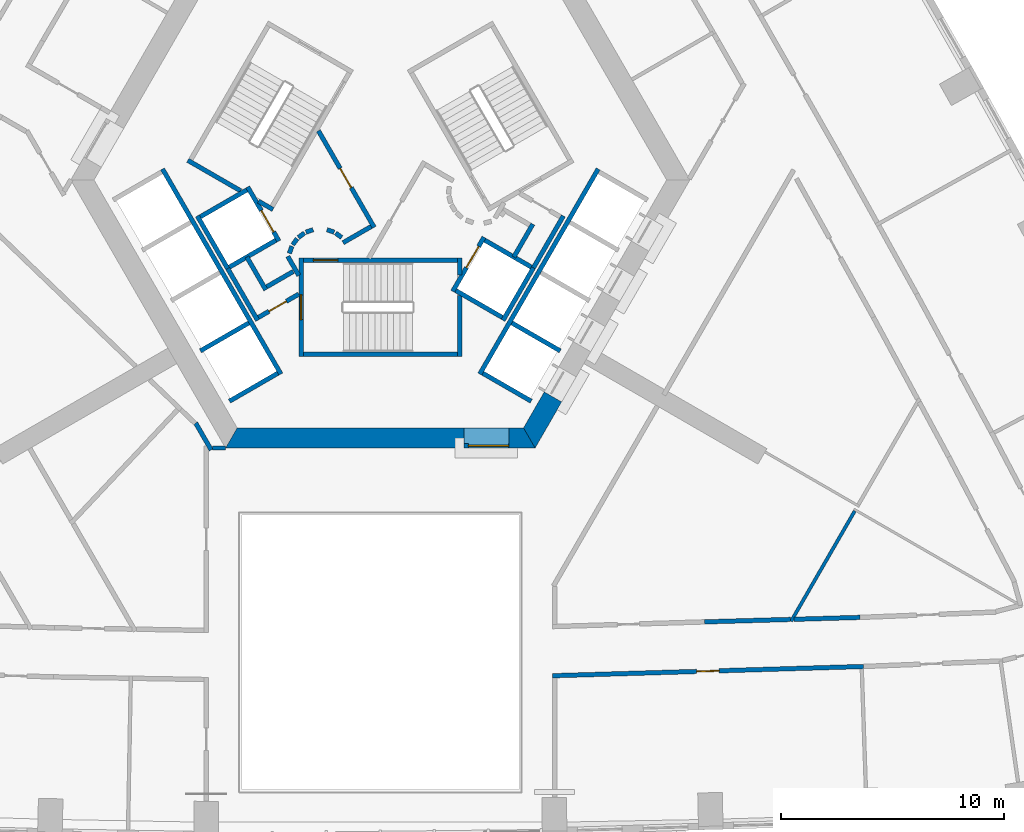
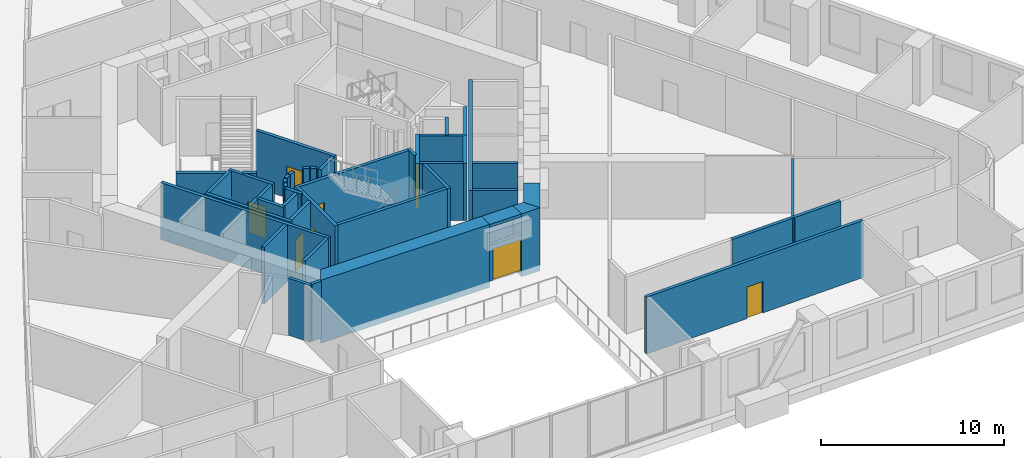
# One storey, part 6 of 15: 47 walls, 8 doors, 8 openings.
"""IFC4 building model written with IfcOpenShell, lengths in metres."""

from ifc_helpers import new_model, si_unit, direction, frame, frame_2d, origin, place, context, subcontext, project, spatial, polyline, rectangle, outline, extrude, material, layer, layer_set, type_object, element, fill, save


model = new_model("IFC4")

# Units and contexts
model_context = context("Model", 3, precision=1e-05, world=origin(), true_north=direction((0.0, 1.0)))
body_context = subcontext(model_context, "Body", "Model", "MODEL_VIEW")
ifc_project = project(units=[si_unit("LENGTHUNIT", "METRE"), si_unit("AREAUNIT", "SQUARE_METRE"), si_unit("VOLUMEUNIT", "CUBIC_METRE"), si_unit("PLANEANGLEUNIT", "RADIAN"), si_unit("MASSUNIT", "GRAM", prefix="KILO")], contexts=[model_context])

# Site, building, storey
site_placement = place(None, origin())
site = spatial("IfcSite", under=ifc_project, at=site_placement, CompositionType="ELEMENT")
building_placement = place(site_placement, origin())
building = spatial("IfcBuilding", under=site, at=building_placement, Name="Entoto Arch Interchange Tower", CompositionType="ELEMENT")
storey_placement = place(building_placement, frame((0.0, 0.0, 99.199951171875)))
storey = spatial("IfcBuildingStorey", under=building, at=storey_placement, Name="L21", CompositionType="ELEMENT", Elevation=99.199951171875)

# Wall, opening, door
ifc_material_1 = material(Name="Reinforced concrete C40/50", Category="concrete")
ifc_layer_1 = layer(ifc_material_1, 0.199951171875)
ifc_layer_set_1 = layer_set([ifc_layer_1], Name="Reinforced concrete C40/50")
wall_type_1 = type_object("IfcWallType", Name="CORE GAP INFILL WALL", PredefinedType="PARTITIONING", material=ifc_layer_set_1)
wall_1_placement = place(storey_placement, frame((3.75, -9.39990234375, 0.0), z_axis=(0.0, 0.0, 1.0), x_axis=(1.0, 0.0, 0.0)))
wall_1 = element("IfcWall", 1, at=wall_1_placement, inside=storey, type_object=wall_type_1, Name="wall:L21:gap1", PredefinedType="PARTITIONING", context=body_context, shape_type="SweptSolid", body=[
    extrude(rectangle(XDim=2.0, YDim=0.199951171875, at=frame_2d((1.0, 0.0))), origin(), (0.0, 0.0, 1.0), 2.400146484375),
])
opening_1_placement = place(wall_1_placement, frame((0.18994140625, 0.0, 0.0)))
opening_1 = element("IfcOpeningElement", 2, at=opening_1_placement, cuts=wall_1, Name="Opening L21-D91", PredefinedType="OPENING", context=body_context, shape_type="SweptSolid", body=[
    extrude(rectangle(XDim=1.800048828125, YDim=2.10009765625, at=frame_2d((0.89990234375, 1.050048828125))), frame((0.0, 0.10986328125, 0.0), z_axis=(0.0, -1.0, 0.0), x_axis=(1.0, 0.0, 0.0)), (0.0, 0.0, 1.0), 0.219970703125),
])
ifc_material_2 = material(Name="Fire-rated Steel S235 door and frame", Category="steel")
door_type_1 = type_object("IfcDoorType", Name="DOOR FD-18 1800x2100", OperationType="DOUBLE_DOOR_SINGLE_SWING", PredefinedType="DOOR", material=ifc_material_2)
door_1_placement = place(opening_1_placement, origin())
door_1 = element("IfcDoor", 3, at=door_1_placement, inside=storey, type_object=door_type_1, Name="door:L21:gap1", OperationType="DOUBLE_DOOR_SINGLE_SWING", OverallHeight=2.10009765625, OverallWidth=1.800048828125, PredefinedType="DOOR", context=body_context, shape_type="SweptSolid", body=[
    extrude(rectangle(XDim=1.800048828125, YDim=2.10009765625, at=frame_2d((0.89990234375, 1.050048828125))), frame((0.0, 0.02490234375, 0.0), z_axis=(0.0, -1.0, 0.0), x_axis=(1.0, 0.0, 0.0)), (0.0, 0.0, 1.0), 0.050048828125),
])
fill(opening_1, door_1)

# Walls
ifc_material_3 = material(Name="Concrete C60/75", Category="concrete")
ifc_layer_2 = layer(ifc_material_3, 0.89990234375)
ifc_layer_set_2 = layer_set([ifc_layer_2], Name="Concrete C60/75")
wall_type_2 = type_object("IfcWallType", Name="Core wall 900 C60/75", PredefinedType="SHEAR", material=ifc_layer_set_2)
wall_2_placement = place(storey_placement, frame((0.0, 0.0, -0.39990234375)))
element("IfcWall", 4, at=wall_2_placement, inside=storey, type_object=wall_type_2, Name="Core wall S L21", PredefinedType="SHEAR", context=body_context, shape_type="SweptSolid", body=[
    extrude(outline(polyline([(3.75, -9.5), (3.75, -8.60009765625), (-6.408935546875, -8.60009765625), (-6.927978515625, -9.5), (3.75, -9.5)])), origin(), (0.0, 0.0, 1.0), 4.199951171875),
])
wall_3_placement = place(storey_placement, frame((0.0, 0.0, -0.39990234375)))
element("IfcWall", 5, at=wall_3_placement, inside=storey, type_object=wall_type_2, Name="Core wall S L21", PredefinedType="SHEAR", context=body_context, shape_type="SweptSolid", body=[
    extrude(outline(polyline([(5.75, -8.60009765625), (5.75, -9.5), (6.927978515625, -9.5), (6.408935546875, -8.60009765625), (5.75, -8.60009765625)])), origin(), (0.0, 0.0, 1.0), 4.199951171875),
])
wall_4_placement = place(storey_placement, frame((0.0, 0.0, 3.60009765625)))
element("IfcWall", 6, at=wall_4_placement, inside=storey, type_object=wall_type_2, Name="Core wall lintel S L21", PredefinedType="SHEAR", context=body_context, shape_type="SweptSolid", body=[
    extrude(outline(polyline([(5.75, -9.5), (5.75, -8.60009765625), (3.75, -8.60009765625), (3.75, -9.5), (5.75, -9.5)])), origin(), (0.0, 0.0, 1.0), 0.199951171875),
])
wall_5_placement = place(storey_placement, frame((0.0, 0.0, -0.39990234375)))
element("IfcWall", 7, at=wall_5_placement, inside=storey, type_object=wall_type_2, Name="Core wall SE L21", PredefinedType="SHEAR", context=body_context, shape_type="SweptSolid", body=[
    extrude(outline(polyline([(8.116943359375, -7.43994140625), (7.337890625, -6.989990234375), (6.408935546875, -8.60009765625), (6.927978515625, -9.5), (8.116943359375, -7.43994140625)])), origin(), (0.0, 0.0, 1.0), 4.199951171875),
])

# Wall, opening, door
ifc_material_4 = material(Name="Concrete C40/50", Category="concrete")
ifc_layer_3 = layer(ifc_material_4, 0.199951171875)
ifc_layer_set_3 = layer_set([ifc_layer_3], Name="Concrete C40/50")
wall_type_3 = type_object("IfcWallType", Name="LIFT SHAFT WALL 200", PredefinedType="STANDARD", material=ifc_layer_set_3)
wall_6_placement = place(storey_placement, frame((-5.93994140625, 2.18798828125, 0.0), z_axis=(0.0, 0.0, 1.0), x_axis=(0.49994636267, -0.866056369097, 0.0)))
wall_6 = element("IfcWall", 8, at=wall_6_placement, inside=storey, type_object=wall_type_3, Name="Shaft wall SW1 front", PredefinedType="STANDARD", context=body_context, shape_type="SweptSolid", body=[
    extrude(rectangle(XDim=2.800048828125, YDim=0.199951171875, at=frame_2d((1.39990234375, 0.0))), origin(), (0.0, 0.0, 1.0), 3.800048828125),
])
opening_2_placement = place(wall_6_placement, frame((1.22509765625, 0.0, 0.0)))
opening_2 = element("IfcOpeningElement", 9, at=opening_2_placement, cuts=wall_6, Name="Opening LD-FF2-L21", PredefinedType="OPENING", context=body_context, shape_type="SweptSolid", body=[
    extrude(rectangle(XDim=1.10009765625, YDim=2.10009765625, at=frame_2d((0.550048828125, 1.050048828125))), frame((0.0, 0.10986328125, 0.0), z_axis=(0.0, -1.0, 0.0), x_axis=(1.0, 0.0, 0.0)), (0.0, 0.0, 1.0), 0.219970703125),
])
ifc_material_5 = material(Name="Stainless steel 1.4301 panels", Category="steel")
door_type_2 = type_object("IfcDoorType", Name="LIFT LANDING DOOR LD1 1100x2100", OperationType="SLIDING_TO_LEFT", PredefinedType="DOOR", material=ifc_material_5)
door_2_placement = place(opening_2_placement, origin())
door_2 = element("IfcDoor", 10, at=door_2_placement, inside=storey, type_object=door_type_2, Name="Lift landing door FF2 L21", OperationType="SLIDING_TO_LEFT", OverallHeight=2.10009765625, OverallWidth=1.10009765625, PredefinedType="DOOR", context=body_context, shape_type="SweptSolid", body=[
    extrude(rectangle(XDim=1.10009765625, YDim=2.10009765625, at=frame_2d((0.550048828125, 1.050048828125))), frame((0.0, 0.02490234375, 0.0), z_axis=(0.0, -1.0, 0.0), x_axis=(1.0, 0.0, 0.0)), (0.0, 0.0, 1.0), 0.050048828125),
])
fill(opening_2, door_2)

# Walls
wall_7_placement = place(storey_placement, frame((-8.19189453125, 0.887939453125, 0.0), z_axis=(0.0, 0.0, 1.0), x_axis=(0.49994636267, -0.866056369097, 0.0)))
element("IfcWall", 11, at=wall_7_placement, inside=storey, type_object=wall_type_3, Name="Shaft wall SW1 back", PredefinedType="STANDARD", context=body_context, shape_type="SweptSolid", body=[
    extrude(rectangle(XDim=2.800048828125, YDim=0.199951171875, at=frame_2d((1.39990234375, 0.0))), origin(), (0.0, 0.0, 1.0), 3.800048828125),
])
for number, where, z_axis, x_axis, name in (
    (12, (-5.97705078125, 2.052001953125, 0.0), (0.0, 0.0, 1.0), (-0.865973769406, -0.500089422704, 0.0), "Shaft wall SW1 cross 1"),
    (13, (-4.677001953125, -0.199951171875, 0.0), (0.0, 0.0, 1.0), (-0.865973769406, -0.500089422704, 0.0), "Shaft wall SW1 cross 2"),
):
    element("IfcWall", number, at=place(storey_placement, frame(where, z_axis=z_axis, x_axis=x_axis)), inside=storey, type_object=wall_type_3, Name=name, PredefinedType="STANDARD", context=body_context, shape_type="SweptSolid", body=[
        extrude(rectangle(XDim=2.3994140625, YDim=0.199951171875, at=frame_2d((1.19970703125, 0.0))), origin(), (0.0, 0.0, 1.0), 3.800048828125),
    ])
wall_8_placement = place(storey_placement, frame((-9.7509765625, 2.989990234375, 0.0), z_axis=(0.0, 0.0, 1.0), x_axis=(0.50000090737, -0.866024879913, 0.0)))
element("IfcWall", 14, at=wall_8_placement, inside=storey, type_object=wall_type_3, Name="Shaft wall SW3 front", PredefinedType="STANDARD", context=body_context, shape_type="SweptSolid", body=[
    extrude(rectangle(XDim=10.60009765625, YDim=0.199951171875, at=frame_2d((5.300048828125, 0.0))), origin(), (0.0, 0.0, 1.0), 3.800048828125),
])
for number, where, z_axis, x_axis, name in (
    (15, (-5.887939453125, -3.902099609375, 0.0), (0.0, 0.0, 1.0), (-0.866022959057, -0.500004234368, 0.0), "Shaft wall SW3 cross 4"),
    (16, (-4.587890625, -6.153076171875, 0.0), (0.0, 0.0, 1.0), (-0.866022959057, -0.500004234368, 0.0), "Shaft wall SW3 cross 5"),
):
    element("IfcWall", number, at=place(storey_placement, frame(where, z_axis=z_axis, x_axis=x_axis)), inside=storey, type_object=wall_type_3, Name=name, PredefinedType="STANDARD", context=body_context, shape_type="SweptSolid", body=[
        extrude(rectangle(XDim=2.5, YDim=0.199951171875, at=frame_2d((1.25, 0.0))), origin(), (0.0, 0.0, 1.0), 3.800048828125),
    ])

# Wall, opening, door
wall_9_placement = place(storey_placement, frame((3.239990234375, -2.488037109375, 0.0), z_axis=(0.0, 0.0, 1.0), x_axis=(0.49994636267, 0.866056369097, 0.0)))
wall_9 = element("IfcWall", 17, at=wall_9_placement, inside=storey, type_object=wall_type_3, Name="Shaft wall SE1 front", PredefinedType="STANDARD", context=body_context, shape_type="SweptSolid", body=[
    extrude(rectangle(XDim=2.800048828125, YDim=0.199951171875, at=frame_2d((1.39990234375, 0.0))), origin(), (0.0, 0.0, 1.0), 3.800048828125),
])
opening_3_placement = place(wall_9_placement, frame((1.22509765625, 0.0, 0.0)))
opening_3 = element("IfcOpeningElement", 18, at=opening_3_placement, cuts=wall_9, Name="Opening LD-FF1-L21", PredefinedType="OPENING", context=body_context, shape_type="SweptSolid", body=[
    extrude(rectangle(XDim=1.10009765625, YDim=2.10009765625, at=frame_2d((0.550048828125, 1.050048828125))), frame((0.0, 0.10986328125, 0.0), z_axis=(0.0, -1.0, 0.0), x_axis=(1.0, 0.0, 0.0)), (0.0, 0.0, 1.0), 0.219970703125),
])
door_3_placement = place(opening_3_placement, origin())
door_3 = element("IfcDoor", 19, at=door_3_placement, inside=storey, type_object=door_type_2, Name="Lift landing door FF1 L21", OperationType="SLIDING_TO_LEFT", OverallHeight=2.10009765625, OverallWidth=1.10009765625, PredefinedType="DOOR", context=body_context, shape_type="SweptSolid", body=[
    extrude(rectangle(XDim=1.10009765625, YDim=2.10009765625, at=frame_2d((0.550048828125, 1.050048828125))), frame((0.0, 0.02490234375, 0.0), z_axis=(0.0, -1.0, 0.0), x_axis=(1.0, 0.0, 0.0)), (0.0, 0.0, 1.0), 0.050048828125),
])
fill(opening_3, door_3)

# Walls
wall_10_placement = place(storey_placement, frame((5.491943359375, -3.7880859375, 0.0), z_axis=(0.0, 0.0, 1.0), x_axis=(0.500011755427, 0.866018616679, 0.0)))
element("IfcWall", 20, at=wall_10_placement, inside=storey, type_object=wall_type_3, Name="Shaft wall SE1 back", PredefinedType="STANDARD", context=body_context, shape_type="SweptSolid", body=[
    extrude(rectangle(XDim=2.80029296875, YDim=0.199951171875, at=frame_2d((1.400146484375, 0.0))), origin(), (0.0, 0.0, 1.0), 3.800048828125),
])
wall_11_placement = place(storey_placement, frame((3.376953125, -2.451904296875, 0.0), z_axis=(0.0, 0.0, 1.0), x_axis=(0.865955154139, -0.50012165622, 0.0)))
element("IfcWall", 21, at=wall_11_placement, inside=storey, type_object=wall_type_3, Name="Shaft wall SE1 cross 1", PredefinedType="STANDARD", context=body_context, shape_type="SweptSolid", body=[
    extrude(rectangle(XDim=2.39990234375, YDim=0.199951171875, at=frame_2d((1.199951171875, 0.0))), origin(), (0.0, 0.0, 1.0), 3.800048828125),
])
wall_12_placement = place(storey_placement, frame((4.677001953125, -0.199951171875, 0.0), z_axis=(0.0, 0.0, 1.0), x_axis=(0.865973769406, -0.500089422704, 0.0)))
element("IfcWall", 22, at=wall_12_placement, inside=storey, type_object=wall_type_3, Name="Shaft wall SE1 cross 2", PredefinedType="STANDARD", context=body_context, shape_type="SweptSolid", body=[
    extrude(rectangle(XDim=2.3994140625, YDim=0.199951171875, at=frame_2d((1.19970703125, 0.0))), origin(), (0.0, 0.0, 1.0), 3.800048828125),
])
wall_13_placement = place(storey_placement, frame((4.450927734375, -6.18994140625, 0.0), z_axis=(0.0, 0.0, 1.0), x_axis=(0.50000090737, 0.866024879913, 0.0)))
element("IfcWall", 23, at=wall_13_placement, inside=storey, type_object=wall_type_3, Name="Shaft wall SE3 front", PredefinedType="STANDARD", context=body_context, shape_type="SweptSolid", body=[
    extrude(rectangle(XDim=10.60009765625, YDim=0.199951171875, at=frame_2d((5.300048828125, 0.0))), origin(), (0.0, 0.0, 1.0), 3.800048828125),
])
for number, where, z_axis, x_axis, name in (
    (24, (4.587890625, -6.153076171875, 0.0), (0.0, 0.0, 1.0), (0.866022959057, -0.500004234368, 0.0), "Shaft wall SE3 cross 1"),
    (25, (5.887939453125, -3.902099609375, 0.0), (0.0, 0.0, 1.0), (0.866022959057, -0.500004234368, 0.0), "Shaft wall SE3 cross 2"),
):
    element("IfcWall", number, at=place(storey_placement, frame(where, z_axis=z_axis, x_axis=x_axis)), inside=storey, type_object=wall_type_3, Name=name, PredefinedType="STANDARD", context=body_context, shape_type="SweptSolid", body=[
        extrude(rectangle(XDim=2.5, YDim=0.199951171875, at=frame_2d((1.25, 0.0))), origin(), (0.0, 0.0, 1.0), 3.800048828125),
    ])
ifc_material_6 = material(Name="Gypsum board partition on steel studs", Category="steel")
ifc_layer_4 = layer(ifc_material_6, 0.14990234375)
ifc_layer_set_4 = layer_set([ifc_layer_4], Name="Gypsum board partition on steel studs")
wall_type_4 = type_object("IfcWallType", Name="PARTITION 150", PredefinedType="PARTITIONING", material=ifc_layer_set_4)
wall_14_placement = place(storey_placement, frame((21.236083984375, -12.319091796875, 0.0), z_axis=(0.0, 0.0, 1.0), x_axis=(-0.500016488359, -0.866015884017, 0.0)))
element("IfcWall", 26, at=wall_14_placement, inside=storey, type_object=wall_type_4, Name="wall:L21:p124", PredefinedType="PARTITIONING", context=body_context, shape_type="SweptSolid", body=[
    extrude(rectangle(XDim=5.701904296875, YDim=0.14990234375, at=frame_2d((2.85107421875, 0.0))), origin(), (0.0, 0.0, 1.0), 3.800048828125),
])
ifc_layer_5 = layer(ifc_material_6, 0.199951171875)
ifc_layer_set_5 = layer_set([ifc_layer_5], Name="Gypsum board partition on steel studs")
wall_type_5 = type_object("IfcWallType", Name="PARTITION 200", PredefinedType="PARTITIONING", material=ifc_layer_set_5)
wall_15_placement = place(storey_placement, frame((14.51904296875, -17.282958984375, 0.0), z_axis=(0.0, 0.0, 1.0), x_axis=(0.999591204998, 0.028590608419, 0.0)))
element("IfcWall", 27, at=wall_15_placement, inside=storey, type_object=wall_type_5, Name="wall:L21:p018", PredefinedType="PARTITIONING", context=body_context, shape_type="SweptSolid", body=[
    extrude(rectangle(XDim=3.842529296875, YDim=0.199951171875, at=frame_2d((1.92138671875, 0.0))), origin(), (0.0, 0.0, 1.0), 3.800048828125),
])
wall_16_placement = place(storey_placement, frame((18.509033203125, -17.16796875, 0.0), z_axis=(0.0, 0.0, 1.0), x_axis=(0.999588854267, 0.028672677323, 0.0)))
element("IfcWall", 28, at=wall_16_placement, inside=storey, type_object=wall_type_5, Name="wall:L21:p021", PredefinedType="PARTITIONING", context=body_context, shape_type="SweptSolid", body=[
    extrude(rectangle(XDim=2.963134765625, YDim=0.199951171875, at=frame_2d((1.4814453125, 0.0))), origin(), (0.0, 0.0, 1.0), 3.800048828125),
])

# Wall, opening, door
wall_17_placement = place(storey_placement, frame((21.62109375, -19.280029296875, 0.0), z_axis=(0.0, 0.0, 1.0), x_axis=(-0.999557957525, -0.029730280001, 0.0)))
wall_17 = element("IfcWall", 29, at=wall_17_placement, inside=storey, type_object=wall_type_5, Name="wall:L21:p043", PredefinedType="PARTITIONING", context=body_context, shape_type="SweptSolid", body=[
    extrude(rectangle(XDim=13.92724609375, YDim=0.199951171875, at=frame_2d((6.963623046875, 0.0))), origin(), (0.0, 0.0, 1.0), 3.800048828125),
])
opening_4_placement = place(wall_17_placement, frame((6.464111328125, 0.0, 0.0)))
opening_4 = element("IfcOpeningElement", 30, at=opening_4_placement, cuts=wall_17, Name="Opening L21-D01", PredefinedType="OPENING", context=body_context, shape_type="SweptSolid", body=[
    extrude(rectangle(XDim=1.0, YDim=2.10009765625, at=frame_2d((0.5, 1.050048828125))), frame((0.0, 0.10986328125, 0.0), z_axis=(0.0, -1.0, 0.0), x_axis=(1.0, 0.0, 0.0)), (0.0, 0.0, 1.0), 0.219970703125),
])
ifc_material_7 = material(Name="Timber door leaf in Steel S235 frame", Category="steel")
door_type_3 = type_object("IfcDoorType", Name="DOOR DS-10 1000x2100", OperationType="SINGLE_SWING_LEFT", PredefinedType="DOOR", material=ifc_material_7)
door_4_placement = place(opening_4_placement, origin())
door_4 = element("IfcDoor", 31, at=door_4_placement, inside=storey, type_object=door_type_3, Name="door:L21:01", OperationType="SINGLE_SWING_LEFT", OverallHeight=2.10009765625, OverallWidth=1.0, PredefinedType="DOOR", context=body_context, shape_type="SweptSolid", body=[
    extrude(rectangle(XDim=1.0, YDim=2.10009765625, at=frame_2d((0.5, 1.050048828125))), frame((0.0, 0.02490234375, 0.0), z_axis=(0.0, -1.0, 0.0), x_axis=(1.0, 0.0, 0.0)), (0.0, 0.0, 1.0), 0.050048828125),
])
fill(opening_4, door_4)

# Walls
wall_18_placement = place(storey_placement, frame((6.825927734375, 0.52197265625, 0.0), z_axis=(0.0, 0.0, 1.0), x_axis=(-0.500016722714, -0.866015748706, 0.0)))
element("IfcWall", 32, at=wall_18_placement, inside=storey, type_object=wall_type_5, Name="wall:L21:p086", PredefinedType="PARTITIONING", context=body_context, shape_type="SweptSolid", body=[
    extrude(rectangle(XDim=1.69970703125, YDim=0.199951171875, at=frame_2d((0.849853515625, 0.0))), origin(), (0.0, 0.0, 1.0), 3.800048828125),
])
wall_19_placement = place(storey_placement, frame((8.19189453125, 0.887939453125, 0.0), z_axis=(0.0, 0.0, 1.0), x_axis=(-0.499940625693, -0.866059680843, 0.0)))
element("IfcWall", 33, at=wall_19_placement, inside=storey, type_object=wall_type_5, Name="wall:L21:p088", PredefinedType="PARTITIONING", context=body_context, shape_type="SweptSolid", body=[
    extrude(rectangle(XDim=2.679931640625, YDim=0.199951171875, at=frame_2d((1.33984375, 0.0))), origin(), (0.0, 0.0, 1.0), 3.800048828125),
])
wall_20_placement = place(storey_placement, frame((-3.89990234375, -1.59912109375, 0.0), z_axis=(0.0, 0.0, 1.0), x_axis=(-0.865969445389, -0.500096910261, 0.0)))
element("IfcWall", 34, at=wall_20_placement, inside=storey, type_object=wall_type_5, Name="wall:L21:p090", PredefinedType="PARTITIONING", context=body_context, shape_type="SweptSolid", body=[
    extrude(rectangle(XDim=1.373291015625, YDim=0.199951171875, at=frame_2d((0.6865234375, 0.0))), origin(), (0.0, 0.0, 1.0), 3.800048828125),
])
wall_21_placement = place(storey_placement, frame((-5.1259765625, -2.422119140625, 0.0), z_axis=(0.0, 0.0, 1.0), x_axis=(-0.500062241894, 0.865989465428, 0.0)))
element("IfcWall", 35, at=wall_21_placement, inside=storey, type_object=wall_type_5, Name="wall:L21:p091", PredefinedType="PARTITIONING", context=body_context, shape_type="SweptSolid", body=[
    extrude(rectangle(XDim=1.699951171875, YDim=0.199951171875, at=frame_2d((0.85009765625, 0.0))), origin(), (0.0, 0.0, 1.0), 3.800048828125),
])

# Wall, opening, door
wall_22_placement = place(storey_placement, frame((-3.64990234375, -2.610107421875, 0.0), z_axis=(0.0, 0.0, 1.0), x_axis=(-0.866072462134, -0.499918483688, 0.0)))
wall_22 = element("IfcWall", 36, at=wall_22_placement, inside=storey, type_object=wall_type_5, Name="wall:L21:p092", PredefinedType="PARTITIONING", context=body_context, shape_type="SweptSolid", body=[
    extrude(rectangle(XDim=2.084228515625, YDim=0.199951171875, at=frame_2d((1.0419921875, 0.0))), origin(), (0.0, 0.0, 1.0), 3.800048828125),
])
opening_5_placement = place(wall_22_placement, frame((0.64208984375, 0.0, 0.0)))
opening_5 = element("IfcOpeningElement", 37, at=opening_5_placement, cuts=wall_22, Name="Opening L21-D39", PredefinedType="OPENING", context=body_context, shape_type="SweptSolid", body=[
    extrude(rectangle(XDim=0.89990234375, YDim=2.10009765625, at=frame_2d((0.449951171875, 1.050048828125))), frame((0.0, 0.10986328125, 0.0), z_axis=(0.0, -1.0, 0.0), x_axis=(1.0, 0.0, 0.0)), (0.0, 0.0, 1.0), 0.219970703125),
])
door_type_4 = type_object("IfcDoorType", Name="DOOR DS-09 900x2100", OperationType="SINGLE_SWING_LEFT", PredefinedType="DOOR", material=ifc_material_7)
door_5_placement = place(opening_5_placement, origin())
door_5 = element("IfcDoor", 38, at=door_5_placement, inside=storey, type_object=door_type_4, Name="door:L21:39", OperationType="SINGLE_SWING_LEFT", OverallHeight=2.10009765625, OverallWidth=0.89990234375, PredefinedType="DOOR", context=body_context, shape_type="SweptSolid", body=[
    extrude(rectangle(XDim=0.89990234375, YDim=2.10009765625, at=frame_2d((0.449951171875, 1.050048828125))), frame((0.0, 0.02490234375, 0.0), z_axis=(0.0, -1.0, 0.0), x_axis=(1.0, 0.0, 0.0)), (0.0, 0.0, 1.0), 0.050048828125),
])
fill(opening_5, door_5)

# Walls
wall_23_placement = place(storey_placement, frame((-5.491943359375, -3.7880859375, 0.0), z_axis=(0.0, 0.0, 1.0), x_axis=(-0.500008949224, 0.866020236886, 0.0)))
element("IfcWall", 39, at=wall_23_placement, inside=storey, type_object=wall_type_5, Name="wall:L21:p093", PredefinedType="PARTITIONING", context=body_context, shape_type="SweptSolid", body=[
    extrude(rectangle(XDim=2.68017578125, YDim=0.199951171875, at=frame_2d((1.340087890625, 0.0))), origin(), (0.0, 0.0, 1.0), 3.800048828125),
])
wall_24_placement = place(storey_placement, frame((-4.14501953125, -0.919921875, 0.0), z_axis=(0.0, 0.0, 1.0), x_axis=(0.499743786207, -0.866173278362, 0.0)))
element("IfcWall", 40, at=wall_24_placement, inside=storey, type_object=wall_type_5, Name="wall:L21:p094", PredefinedType="PARTITIONING", context=body_context, shape_type="SweptSolid", body=[
    extrude(rectangle(XDim=0.99072265625, YDim=0.199951171875, at=frame_2d((0.495361328125, 0.0))), origin(), (0.0, 0.0, 1.0), 3.800048828125),
])

# Wall, opening, door
wall_25_placement = place(storey_placement, frame((-2.77099609375, 4.699951171875, 0.0), z_axis=(0.0, 0.0, 1.0), x_axis=(0.499969479948, -0.866043023828, 0.0)))
wall_25 = element("IfcWall", 41, at=wall_25_placement, inside=storey, type_object=wall_type_5, Name="wall:L21:p107", PredefinedType="PARTITIONING", context=body_context, shape_type="SweptSolid", body=[
    extrude(rectangle(XDim=4.990478515625, YDim=0.199951171875, at=frame_2d((2.4951171875, 0.0))), origin(), (0.0, 0.0, 1.0), 3.800048828125),
])
opening_6_placement = place(wall_25_placement, frame((1.945068359375, 0.0, 0.0)))
opening_6 = element("IfcOpeningElement", 42, at=opening_6_placement, cuts=wall_25, Name="Opening L21-D37", PredefinedType="OPENING", context=body_context, shape_type="SweptSolid", body=[
    extrude(rectangle(XDim=1.0, YDim=2.10009765625, at=frame_2d((0.5, 1.050048828125))), frame((0.0, 0.10986328125, 0.0), z_axis=(0.0, -1.0, 0.0), x_axis=(1.0, 0.0, 0.0)), (0.0, 0.0, 1.0), 0.219970703125),
])
door_type_5 = type_object("IfcDoorType", Name="DOOR FD-10 1000x2100", OperationType="SINGLE_SWING_LEFT", PredefinedType="DOOR", material=ifc_material_2)
door_6_placement = place(opening_6_placement, origin())
door_6 = element("IfcDoor", 43, at=door_6_placement, inside=storey, type_object=door_type_5, Name="door:L21:37", OperationType="SINGLE_SWING_RIGHT", OverallHeight=2.10009765625, OverallWidth=1.0, PredefinedType="DOOR", context=body_context, shape_type="SweptSolid", body=[
    extrude(rectangle(XDim=1.0, YDim=2.10009765625, at=frame_2d((0.5, 1.050048828125))), frame((0.0, 0.02490234375, 0.0), z_axis=(0.0, -1.0, 0.0), x_axis=(1.0, 0.0, 0.0)), (0.0, 0.0, 1.0), 0.050048828125),
])
fill(opening_6, door_6)

# Walls
wall_26_placement = place(storey_placement, frame((-0.412109375, 0.4140625, 0.0), z_axis=(0.0, 0.0, 1.0), x_axis=(-0.866017369001, -0.500013916395, 0.0)))
element("IfcWall", 44, at=wall_26_placement, inside=storey, type_object=wall_type_5, Name="wall:L21:p108", PredefinedType="PARTITIONING", context=body_context, shape_type="SweptSolid", body=[
    extrude(rectangle(XDim=1.4501953125, YDim=0.199951171875, at=frame_2d((0.72509765625, 0.0))), origin(), (0.0, 0.0, 1.0), 3.800048828125),
])
wall_27_placement = place(storey_placement, frame((-1.73095703125, -0.076904296875, 0.0), z_axis=(0.0, 0.0, 1.0), x_axis=(-0.804311165252, 0.594208338422, 0.0)))
element("IfcWall", 45, at=wall_27_placement, inside=storey, type_object=wall_type_5, Name="wall:L21:p109", PredefinedType="PARTITIONING", context=body_context, shape_type="SweptSolid", body=[
    extrude(rectangle(XDim=0.338134765625, YDim=0.199951171875, at=frame_2d((0.1689453125, 0.0))), origin(), (0.0, 0.0, 1.0), 3.800048828125),
])
wall_28_placement = place(storey_placement, frame((-2.070068359375, 0.159912109375, 0.0), z_axis=(0.0, 0.0, 1.0), x_axis=(-0.942199461132, 0.335052496547, 0.0)))
element("IfcWall", 46, at=wall_28_placement, inside=storey, type_object=wall_type_5, Name="wall:L21:p110", PredefinedType="PARTITIONING", context=body_context, shape_type="SweptSolid", body=[
    extrude(rectangle(XDim=0.33740234375, YDim=0.199951171875, at=frame_2d((0.168701171875, 0.0))), origin(), (0.0, 0.0, 1.0), 3.800048828125),
])
wall_29_placement = place(storey_placement, frame((-3.011962890625, 0.27294921875, 0.0), z_axis=(0.0, 0.0, 1.0), x_axis=(-0.942280615813, -0.334824194261, 0.0)))
element("IfcWall", 47, at=wall_29_placement, inside=storey, type_object=wall_type_5, Name="wall:L21:p111", PredefinedType="PARTITIONING", context=body_context, shape_type="SweptSolid", body=[
    extrude(rectangle(XDim=0.337646484375, YDim=0.199951171875, at=frame_2d((0.1689453125, 0.0))), origin(), (0.0, 0.0, 1.0), 3.800048828125),
])
wall_30_placement = place(storey_placement, frame((-3.39697265625, 0.1240234375, 0.0), z_axis=(0.0, 0.0, 1.0), x_axis=(-0.804311165252, -0.594208338422, 0.0)))
element("IfcWall", 48, at=wall_30_placement, inside=storey, type_object=wall_type_5, Name="wall:L21:p112", PredefinedType="PARTITIONING", context=body_context, shape_type="SweptSolid", body=[
    extrude(rectangle(XDim=0.338134765625, YDim=0.199951171875, at=frame_2d((0.1689453125, 0.0))), origin(), (0.0, 0.0, 1.0), 3.800048828125),
])
wall_31_placement = place(storey_placement, frame((-3.722900390625, -0.131103515625, 0.0), z_axis=(0.0, 0.0, 1.0), x_axis=(-0.594675113454, -0.803966112121, 0.0)))
element("IfcWall", 49, at=wall_31_placement, inside=storey, type_object=wall_type_5, Name="wall:L21:p113", PredefinedType="PARTITIONING", context=body_context, shape_type="SweptSolid", body=[
    extrude(rectangle(XDim=0.33837890625, YDim=0.199951171875, at=frame_2d((0.169189453125, 0.0))), origin(), (0.0, 0.0, 1.0), 3.800048828125),
])
wall_32_placement = place(storey_placement, frame((-3.9599609375, -0.469970703125, 0.0), z_axis=(0.0, 0.0, 1.0), x_axis=(-0.334824194261, -0.942280615813, 0.0)))
element("IfcWall", 50, at=wall_32_placement, inside=storey, type_object=wall_type_5, Name="wall:L21:p114", PredefinedType="PARTITIONING", context=body_context, shape_type="SweptSolid", body=[
    extrude(rectangle(XDim=0.337646484375, YDim=0.199951171875, at=frame_2d((0.1689453125, 0.0))), origin(), (0.0, 0.0, 1.0), 3.800048828125),
])
wall_33_placement = place(storey_placement, frame((-7.52197265625, -9.4990234375, 0.0), z_axis=(0.0, 0.0, 1.0), x_axis=(1.0, 0.0, 0.0)))
element("IfcWall", 51, at=wall_33_placement, inside=storey, type_object=wall_type_5, Name="wall:L21:p116", PredefinedType="PARTITIONING", context=body_context, shape_type="SweptSolid", body=[
    extrude(rectangle(XDim=0.593017578125, YDim=0.199951171875, at=frame_2d((0.29638671875, 0.0))), origin(), (0.0, 0.0, 1.0), 3.800048828125),
])
wall_34_placement = place(storey_placement, frame((-7.572021484375, -9.5859375, 0.0), z_axis=(0.0, 0.0, 1.0), x_axis=(-0.499484152563, 0.866323023669, 0.0)))
element("IfcWall", 52, at=wall_34_placement, inside=storey, type_object=wall_type_5, Name="wall:L21:p128", PredefinedType="PARTITIONING", context=body_context, shape_type="SweptSolid", body=[
    extrude(rectangle(XDim=1.3896484375, YDim=0.199951171875, at=frame_2d((0.69482421875, 0.0))), origin(), (0.0, 0.0, 1.0), 3.800048828125),
])

# Wall, opening, door
ifc_layer_6 = layer(ifc_material_4, 0.199951171875)
ifc_layer_set_6 = layer_set([ifc_layer_6], Name="Concrete C40/50")
wall_type_6 = type_object("IfcWallType", Name="STAIR ENCLOSURE WALL 200", PredefinedType="STANDARD", material=ifc_layer_set_6)
wall_35_placement = place(storey_placement, frame((-3.550048828125, -1.0, 0.0), z_axis=(0.0, 0.0, 1.0), x_axis=(0.0, -1.0, 0.0)))
wall_35 = element("IfcWall", 53, at=wall_35_placement, inside=storey, type_object=wall_type_6, Name="Stair wall ST-S near", PredefinedType="STANDARD", context=body_context, shape_type="SweptSolid", body=[
    extrude(rectangle(XDim=4.39990234375, YDim=0.199951171875, at=frame_2d((2.199951171875, 0.0))), origin(), (0.0, 0.0, 1.0), 3.800048828125),
])
opening_7_placement = place(wall_35_placement, frame((1.64990234375, 0.0, 0.0)))
opening_7 = element("IfcOpeningElement", 54, at=opening_7_placement, cuts=wall_35, Name="Opening SD-ST-S-L21-E", PredefinedType="OPENING", context=body_context, shape_type="SweptSolid", body=[
    extrude(rectangle(XDim=1.10009765625, YDim=2.199951171875, at=frame_2d((0.550048828125, 1.10009765625))), frame((0.0, 0.10986328125, 0.0), z_axis=(0.0, -1.0, 0.0), x_axis=(1.0, 0.0, 0.0)), (0.0, 0.0, 1.0), 0.219970703125),
])
ifc_material_8 = material(Name="Steel S235", Category="steel")
door_type_6 = type_object("IfcDoorType", Name="STAIR DOOR SD1 1100x2200", OperationType="SINGLE_SWING_LEFT", PredefinedType="DOOR", material=ifc_material_8)
door_7_placement = place(opening_7_placement, origin())
door_7 = element("IfcDoor", 55, at=door_7_placement, inside=storey, type_object=door_type_6, Name="Stair door ST-S L21 end", OperationType="SINGLE_SWING_LEFT", OverallHeight=2.199951171875, OverallWidth=1.10009765625, PredefinedType="DOOR", context=body_context, shape_type="SweptSolid", body=[
    extrude(rectangle(XDim=1.10009765625, YDim=2.199951171875, at=frame_2d((0.550048828125, 1.10009765625))), frame((0.0, 0.02490234375, 0.0), z_axis=(0.0, -1.0, 0.0), x_axis=(1.0, 0.0, 0.0)), (0.0, 0.0, 1.0), 0.050048828125),
])
fill(opening_7, door_7)

# Walls
wall_36_placement = place(storey_placement, frame((3.550048828125, -2.6669921875, 0.0), z_axis=(0.0, 0.0, 1.0), x_axis=(0.0, -1.0, 0.0)))
element("IfcWall", 56, at=wall_36_placement, inside=storey, type_object=wall_type_6, Name="Stair wall ST-S far", PredefinedType="STANDARD", context=body_context, shape_type="SweptSolid", body=[
    extrude(rectangle(XDim=2.73291015625, YDim=0.199951171875, at=frame_2d((1.366455078125, 0.0))), origin(), (0.0, 0.0, 1.0), 3.800048828125),
])
wall_37_placement = place(storey_placement, frame((3.550048828125, -1.0, 0.0), z_axis=(0.0, 0.0, 1.0), x_axis=(0.0, -1.0, 0.0)))
element("IfcWall", 57, at=wall_37_placement, inside=storey, type_object=wall_type_6, Name="Stair wall ST-S far return", PredefinedType="STANDARD", context=body_context, shape_type="SweptSolid", body=[
    extrude(rectangle(XDim=0.7509765625, YDim=0.199951171875, at=frame_2d((0.37548828125, 0.0))), origin(), (0.0, 0.0, 1.0), 3.800048828125),
])

# Wall, opening, door
wall_38_placement = place(storey_placement, frame((-3.449951171875, -1.10009765625, 0.0), z_axis=(0.0, 0.0, 1.0), x_axis=(1.0, 0.0, 0.0)))
wall_38 = element("IfcWall", 58, at=wall_38_placement, inside=storey, type_object=wall_type_6, Name="Stair wall ST-S hall", PredefinedType="STANDARD", context=body_context, shape_type="SweptSolid", body=[
    extrude(rectangle(XDim=6.89990234375, YDim=0.199951171875, at=frame_2d((3.449951171875, 0.0))), origin(), (0.0, 0.0, 1.0), 3.800048828125),
])
opening_8_placement = place(wall_38_placement, frame((0.449951171875, 0.0, 0.0)))
opening_8 = element("IfcOpeningElement", 59, at=opening_8_placement, cuts=wall_38, Name="Opening SD-ST-S-L21", PredefinedType="OPENING", context=body_context, shape_type="SweptSolid", body=[
    extrude(rectangle(XDim=1.10009765625, YDim=2.199951171875, at=frame_2d((0.550048828125, 1.10009765625))), frame((0.0, 0.10986328125, 0.0), z_axis=(0.0, -1.0, 0.0), x_axis=(1.0, 0.0, 0.0)), (0.0, 0.0, 1.0), 0.219970703125),
])
door_8_placement = place(opening_8_placement, origin())
door_8 = element("IfcDoor", 60, at=door_8_placement, inside=storey, type_object=door_type_6, Name="Stair door ST-S L21", OperationType="SINGLE_SWING_LEFT", OverallHeight=2.199951171875, OverallWidth=1.10009765625, PredefinedType="DOOR", context=body_context, shape_type="SweptSolid", body=[
    extrude(rectangle(XDim=1.10009765625, YDim=2.199951171875, at=frame_2d((0.550048828125, 1.10009765625))), frame((0.0, 0.02490234375, 0.0), z_axis=(0.0, -1.0, 0.0), x_axis=(1.0, 0.0, 0.0)), (0.0, 0.0, 1.0), 0.050048828125),
])
fill(opening_8, door_8)

# Walls
wall_39_placement = place(storey_placement, frame((-3.449951171875, -5.300048828125, 0.0), z_axis=(0.0, 0.0, 1.0), x_axis=(1.0, 0.0, 0.0)))
element("IfcWall", 61, at=wall_39_placement, inside=storey, type_object=wall_type_6, Name="Stair wall ST-S back", PredefinedType="STANDARD", context=body_context, shape_type="SweptSolid", body=[
    extrude(rectangle(XDim=6.89990234375, YDim=0.199951171875, at=frame_2d((3.449951171875, 0.0))), origin(), (0.0, 0.0, 1.0), 3.800048828125),
])
wall_40_placement = place(storey_placement, frame((-6.25, 2.010009765625, 0.0), z_axis=(0.0, 0.0, 1.0), x_axis=(-0.86611865017, 0.499838457731, 0.0)))
element("IfcWall", 62, at=wall_40_placement, inside=storey, type_object=wall_type_6, Name="Stair wall ST-NW far", PredefinedType="STANDARD", context=body_context, shape_type="SweptSolid", body=[
    extrude(rectangle(XDim=2.73291015625, YDim=0.199951171875, at=frame_2d((1.366455078125, 0.0))), origin(), (0.0, 0.0, 1.0), 3.800048828125),
])
wall_41_placement = place(storey_placement, frame((-4.805908203125, 1.176025390625, 0.0), z_axis=(0.0, 0.0, 1.0), x_axis=(-0.866558586415, 0.499075361355, 0.0)))
element("IfcWall", 63, at=wall_41_placement, inside=storey, type_object=wall_type_6, Name="Stair wall ST-NW far return", PredefinedType="STANDARD", context=body_context, shape_type="SweptSolid", body=[
    extrude(rectangle(XDim=0.75146484375, YDim=0.199951171875, at=frame_2d((0.375732421875, 0.0))), origin(), (0.0, 0.0, 1.0), 3.800048828125),
])

save(model, "model.ifc")
